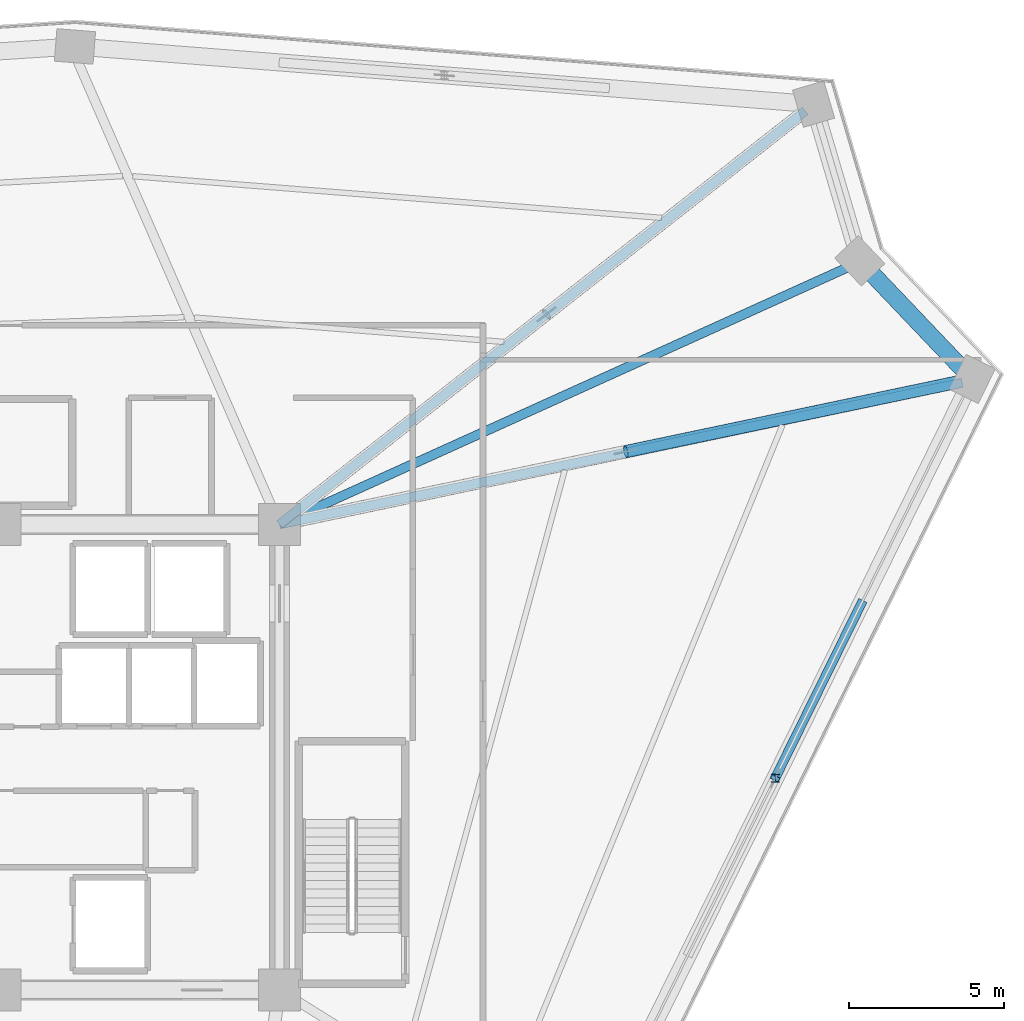
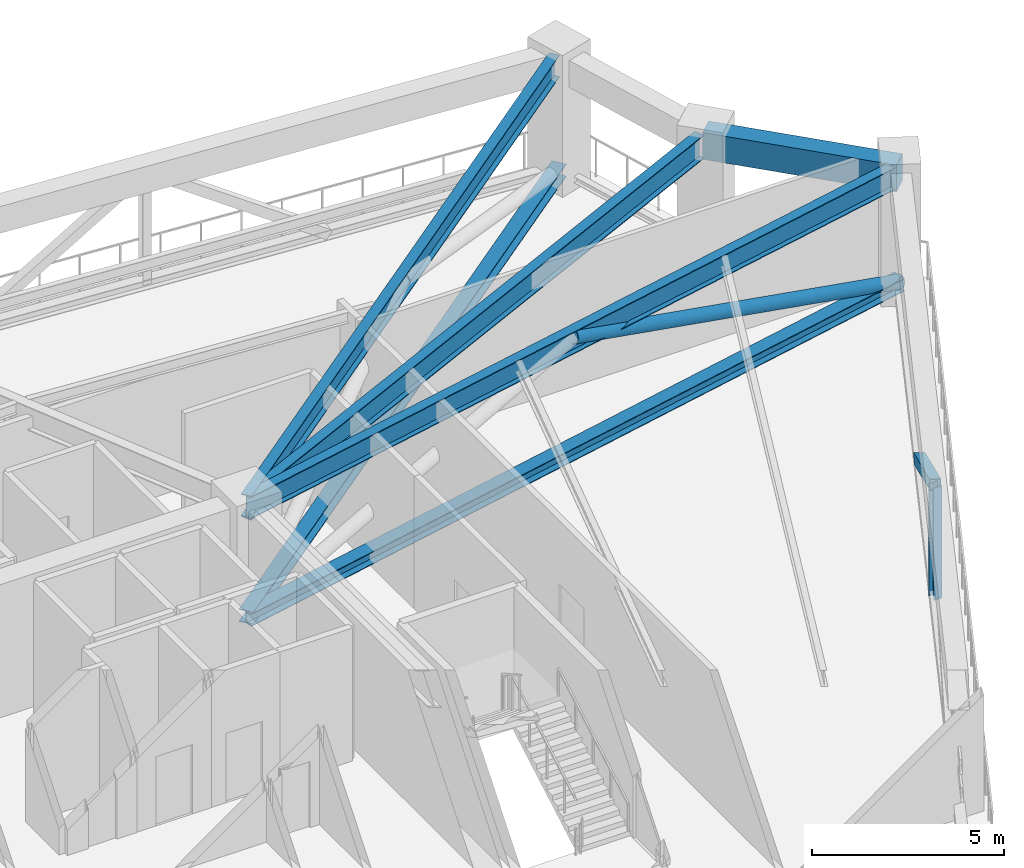
# One storey, part 9 of 22: 5 members, 4 beams.
"""IFC4 building model written with IfcOpenShell, lengths in metres."""

from ifc_helpers import new_model, si_unit, direction, frame, origin, origin_2d, place, context, subcontext, project, spatial, rectangle, hollow_rectangle, hollow_circle, i_section, extrude, source, transform, mapped, material, material_profile, profile_set, type_object, element, save


model = new_model("IFC4")

# Units and contexts
model_context = context("Model", 3, precision=1e-05, world=origin(), true_north=direction((0.0, 1.0)))
body_context = subcontext(model_context, "Body", "Model", "MODEL_VIEW")
ifc_project = project(units=[si_unit("LENGTHUNIT", "METRE"), si_unit("AREAUNIT", "SQUARE_METRE"), si_unit("VOLUMEUNIT", "CUBIC_METRE"), si_unit("PLANEANGLEUNIT", "RADIAN"), si_unit("MASSUNIT", "GRAM", prefix="KILO")], contexts=[model_context])

# Site, building, storey
site_placement = place(None, origin())
site = spatial("IfcSite", under=ifc_project, at=site_placement, CompositionType="ELEMENT")
building_placement = place(site_placement, origin())
building = spatial("IfcBuilding", under=site, at=building_placement, Name="Liaohun Quay Tower", CompositionType="ELEMENT")
storey_placement = place(building_placement, frame((0.0, 0.0, 277.5)))
storey = spatial("IfcBuildingStorey", under=building, at=storey_placement, Name="L72", CompositionType="ELEMENT", Elevation=277.5)

# Member
ifc_material_1 = material(Name="Steel Q355D", Category="steel")
ifc_material_profile_1 = material_profile(ifc_material_1, i_section(OverallWidth=0.25, OverallDepth=0.25, WebThickness=0.009033203125, FlangeThickness=0.013916015625, at=origin_2d()), Name="HW250x250x9x14")
ifc_profile_set_1 = profile_set([ifc_material_profile_1], Name="Steel Q355D")
member_type_1 = type_object("IfcMemberType", Name="MEM-BLT-PST", PredefinedType="POST", material=ifc_profile_set_1)
shared_shape_1 = source(origin(), body_context, "Body", "SweptSolid", [
    extrude(i_section(OverallWidth=0.25, OverallDepth=0.25, WebThickness=0.009033203125, FlangeThickness=0.013916015625, at=origin_2d()), origin(), (0.0, 0.0, 1.0), 3.56982421875),
])
member_1_placement = place(storey_placement, frame((84.971923828125, 53.323974609375, 0.35009765625), z_axis=(0.0, 0.0, 1.0), x_axis=(1.0, 0.0, 0.0)))
element("IfcMember", 1, at=member_1_placement, inside=storey, type_object=member_type_1, Name="L72 Belt Truss Vertical Post BP-1-05", PredefinedType="POST", context=body_context, shape_type="MappedRepresentation", body=[
    mapped(shared_shape_1, transform((0.0, 0.0, 0.0), x_axis=(1.0, 0.0, 0.0), y_axis=(0.0, 1.0, 0.0), z_axis=(0.0, 0.0, 1.0), scale=1.0)),
])

# Beams
ifc_material_2 = material(Name="Precast concrete C50", Category="concrete")
ifc_material_profile_2 = material_profile(ifc_material_2, rectangle(XDim=0.550048828125, YDim=0.85009765625, at=origin_2d()), Name="RC550x850")
ifc_profile_set_2 = profile_set([ifc_material_profile_2], Name="Precast concrete C50")
beam_type_1 = type_object("IfcBeamType", Name="BM-SPD-Z3", PredefinedType="SPANDREL", material=ifc_profile_set_2)
shared_shape_2 = source(origin(), body_context, "Body", "SweptSolid", [
    extrude(rectangle(XDim=0.550048828125, YDim=0.85009765625, at=origin_2d()), origin(), (0.0, 0.0, 1.0), 5.254638671875),
])
beam_1_placement = place(storey_placement, frame((87.697998046875, 69.991943359375, 3.794921875), z_axis=(0.689302403293, -0.724473737837, 0.0), x_axis=(0.724473737837, 0.689302403293, 0.0)))
element("IfcBeam", 2, at=beam_1_placement, inside=storey, type_object=beam_type_1, Name="L72 Precast Spandrel Beam PC08-PC09", PredefinedType="SPANDREL", context=body_context, shape_type="MappedRepresentation", body=[
    mapped(shared_shape_2, transform((0.0, 0.0, 0.0), x_axis=(1.0, 0.0, 0.0), y_axis=(0.0, 1.0, 0.0), z_axis=(0.0, 0.0, 1.0), scale=1.0)),
])
ifc_material_profile_3 = material_profile(ifc_material_1, i_section(OverallWidth=0.300048828125, OverallDepth=0.75, WebThickness=0.013916015625, FlangeThickness=0.02587890625, at=origin_2d()), Name="HN750x300x14x26")
ifc_profile_set_3 = profile_set([ifc_material_profile_3], Name="Steel Q355D")
beam_type_2 = type_object("IfcBeamType", Name="BM-RAD-M2", PredefinedType="BEAM", material=ifc_profile_set_3)
shared_shape_3 = source(origin(), body_context, "Body", "SweptSolid", [
    extrude(i_section(OverallWidth=0.300048828125, OverallDepth=0.75, WebThickness=0.013916015625, FlangeThickness=0.02587890625, at=origin_2d()), origin(), (0.0, 0.0, 1.0), 20.210693359375),
])
beam_2_placement = place(storey_placement, frame((69.0, 61.5, 3.844970703125), z_axis=(0.911158679707, 0.412055652059, 0.0), x_axis=(-0.412055652059, 0.911158679707, 0.0)))
element("IfcBeam", 3, at=beam_2_placement, inside=storey, type_object=beam_type_2, Name="L72 Radial Primary Girder CC4-PC08", PredefinedType="BEAM", context=body_context, shape_type="MappedRepresentation", body=[
    mapped(shared_shape_3, transform((0.0, 0.0, 0.0), x_axis=(1.0, 0.0, 0.0), y_axis=(0.0, 1.0, 0.0), z_axis=(0.0, 0.0, 1.0), scale=1.0)),
])
ifc_material_profile_4 = material_profile(ifc_material_1, i_section(OverallWidth=0.300048828125, OverallDepth=0.699951171875, WebThickness=0.012939453125, FlangeThickness=0.02392578125, at=origin_2d()), Name="HN700x300x13x24")
ifc_profile_set_4 = profile_set([ifc_material_profile_4], Name="Steel Q355D")
beam_type_3 = type_object("IfcBeamType", Name="BM-RAD-U1", PredefinedType="BEAM", material=ifc_profile_set_4)
shared_shape_4 = source(origin(), body_context, "Body", "SweptSolid", [
    extrude(i_section(OverallWidth=0.300048828125, OverallDepth=0.699951171875, WebThickness=0.012939453125, FlangeThickness=0.02392578125, at=origin_2d()), origin(), (0.0, 0.0, 1.0), 21.552978515625),
])
beam_3_placement = place(storey_placement, frame((69.0, 61.5, 3.8701171875), z_axis=(0.786058845296, 0.618151673727, 0.0), x_axis=(-0.618151673727, 0.786058845296, 0.0)))
element("IfcBeam", 4, at=beam_3_placement, inside=storey, type_object=beam_type_3, Name="L72 Radial Primary Girder CC4-PC07", PredefinedType="BEAM", context=body_context, shape_type="MappedRepresentation", body=[
    mapped(shared_shape_4, transform((0.0, 0.0, 0.0), x_axis=(1.0, 0.0, 0.0), y_axis=(0.0, 1.0, 0.0), z_axis=(0.0, 0.0, 1.0), scale=1.0)),
])
shared_shape_5 = source(origin(), body_context, "Body", "SweptSolid", [
    extrude(i_section(OverallWidth=0.300048828125, OverallDepth=0.699951171875, WebThickness=0.012939453125, FlangeThickness=0.02392578125, at=origin_2d()), origin(), (0.0, 0.0, 1.0), 22.466064453125),
])
beam_4_placement = place(storey_placement, frame((69.0, 61.5, 3.8701171875), z_axis=(0.979165892386, 0.203061949138, 0.0), x_axis=(-0.203061949138, 0.979165892386, 0.0)))
element("IfcBeam", 5, at=beam_4_placement, inside=storey, type_object=beam_type_3, Name="L72 Radial Primary Girder CC4-PC09", PredefinedType="BEAM", context=body_context, shape_type="MappedRepresentation", body=[
    mapped(shared_shape_5, transform((0.0, 0.0, 0.0), x_axis=(1.0, 0.0, 0.0), y_axis=(0.0, 1.0, 0.0), z_axis=(0.0, 0.0, 1.0), scale=1.0)),
])

# Members
ifc_material_3 = material(Name="Steel Q420D", Category="steel")
ifc_material_profile_5 = material_profile(ifc_material_3, i_section(OverallWidth=0.407958984375, OverallDepth=0.39990234375, WebThickness=0.02099609375, FlangeThickness=0.02099609375, at=origin_2d()), Name="HW400x408x21x21")
ifc_profile_set_5 = profile_set([ifc_material_profile_5], Name="Steel Q420D")
member_type_2 = type_object("IfcMemberType", Name="MEM-OUT-CH2", PredefinedType="CHORD", material=ifc_profile_set_5)
shared_shape_6 = source(origin(), body_context, "Body", "SweptSolid", [
    extrude(i_section(OverallWidth=0.407958984375, OverallDepth=0.39990234375, WebThickness=0.02099609375, FlangeThickness=0.02099609375, at=origin_2d()), origin(), (0.0, 0.0, 1.0), 21.89794921875),
])
member_2_placement = place(storey_placement, frame((69.0, 61.5, 0.35009765625), z_axis=(0.785920467008, 0.618327598881, 0.0), x_axis=(-0.618327598881, 0.785920467008, 0.0)))
element("IfcMember", 6, at=member_2_placement, inside=storey, type_object=member_type_2, Name="L72 Outrigger Bottom Chord OC-04", PredefinedType="CHORD", context=body_context, shape_type="MappedRepresentation", body=[
    mapped(shared_shape_6, transform((0.0, 0.0, 0.0), x_axis=(1.0, 0.0, 0.0), y_axis=(0.0, 1.0, 0.0), z_axis=(0.0, 0.0, 1.0), scale=1.0)),
])
shared_shape_7 = source(origin(), body_context, "Body", "SweptSolid", [
    extrude(i_section(OverallWidth=0.407958984375, OverallDepth=0.39990234375, WebThickness=0.02099609375, FlangeThickness=0.02099609375, at=origin_2d()), origin(), (0.0, 0.0, 1.0), 22.806396484375),
])
member_3_placement = place(storey_placement, frame((69.0, 61.5, 0.35009765625), z_axis=(0.978672504065, 0.205426701738, 0.0), x_axis=(-0.205426701738, 0.978672504065, 0.0)))
element("IfcMember", 7, at=member_3_placement, inside=storey, type_object=member_type_2, Name="L72 Outrigger Bottom Chord OC-05", PredefinedType="CHORD", context=body_context, shape_type="MappedRepresentation", body=[
    mapped(shared_shape_7, transform((0.0, 0.0, 0.0), x_axis=(1.0, 0.0, 0.0), y_axis=(0.0, 1.0, 0.0), z_axis=(0.0, 0.0, 1.0), scale=1.0)),
])
ifc_material_profile_6 = material_profile(ifc_material_3, hollow_circle(Radius=0.202880859375, WallThickness=0.01611328125, at=origin_2d()), Name="CHS406x16")
ifc_profile_set_6 = profile_set([ifc_material_profile_6], Name="Steel Q420D")
member_type_3 = type_object("IfcMemberType", Name="MEM-OUT-DG2", PredefinedType="BRACE", material=ifc_profile_set_6)
shared_shape_8 = source(origin(), body_context, "Body", "SweptSolid", [
    extrude(hollow_circle(Radius=0.202880859375, WallThickness=0.01611328125, at=origin_2d()), origin(), (0.0, 0.0, 1.0), 11.948974609375),
])
member_4_placement = place(storey_placement, frame((80.159912109375, 63.843017578125, 3.919921875), z_axis=(0.933984776324, 0.196003586789, -0.298755805902), x_axis=(-0.205383536901, 0.978681563518, 0.0)))
element("IfcMember", 8, at=member_4_placement, inside=storey, type_object=member_type_3, Name="L72 Outrigger Diagonal OD-05B", PredefinedType="BRACE", context=body_context, shape_type="MappedRepresentation", body=[
    mapped(shared_shape_8, transform((0.0, 0.0, 0.0), x_axis=(1.0, 0.0, 0.0), y_axis=(0.0, 1.0, 0.0), z_axis=(0.0, 0.0, 1.0), scale=1.0)),
])
ifc_material_profile_7 = material_profile(ifc_material_1, hollow_rectangle(XDim=0.300048828125, YDim=0.300048828125, WallThickness=0.013916015625, at=origin_2d()), Name="SHS300x300x14")
ifc_profile_set_7 = profile_set([ifc_material_profile_7], Name="Steel Q355D")
member_type_4 = type_object("IfcMemberType", Name="MEM-BLT-DG3", PredefinedType="BRACE", material=ifc_profile_set_7)
shared_shape_9 = source(origin(), body_context, "Body", "SweptSolid", [
    extrude(hollow_rectangle(XDim=0.300048828125, YDim=0.300048828125, WallThickness=0.013916015625, at=origin_2d()), origin(), (0.0, 0.0, 1.0), 7.25048828125),
])
member_5_placement = place(storey_placement, frame((87.764892578125, 58.98291015625, 0.35009765625), z_axis=(-0.385217388424, -0.78050295859, 0.492364392791), x_axis=(0.896728712628, -0.442580632144, 0.0)))
element("IfcMember", 9, at=member_5_placement, inside=storey, type_object=member_type_4, Name="L72 Belt Truss Diagonal BD-05A", PredefinedType="BRACE", context=body_context, shape_type="MappedRepresentation", body=[
    mapped(shared_shape_9, transform((0.0, 0.0, 0.0), x_axis=(1.0, 0.0, 0.0), y_axis=(0.0, 1.0, 0.0), z_axis=(0.0, 0.0, 1.0), scale=1.0)),
])

save(model, "model.ifc")
